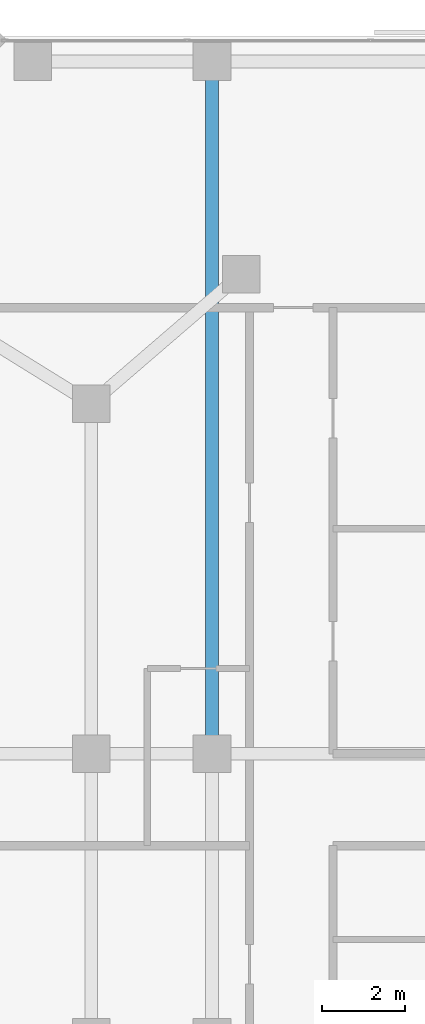
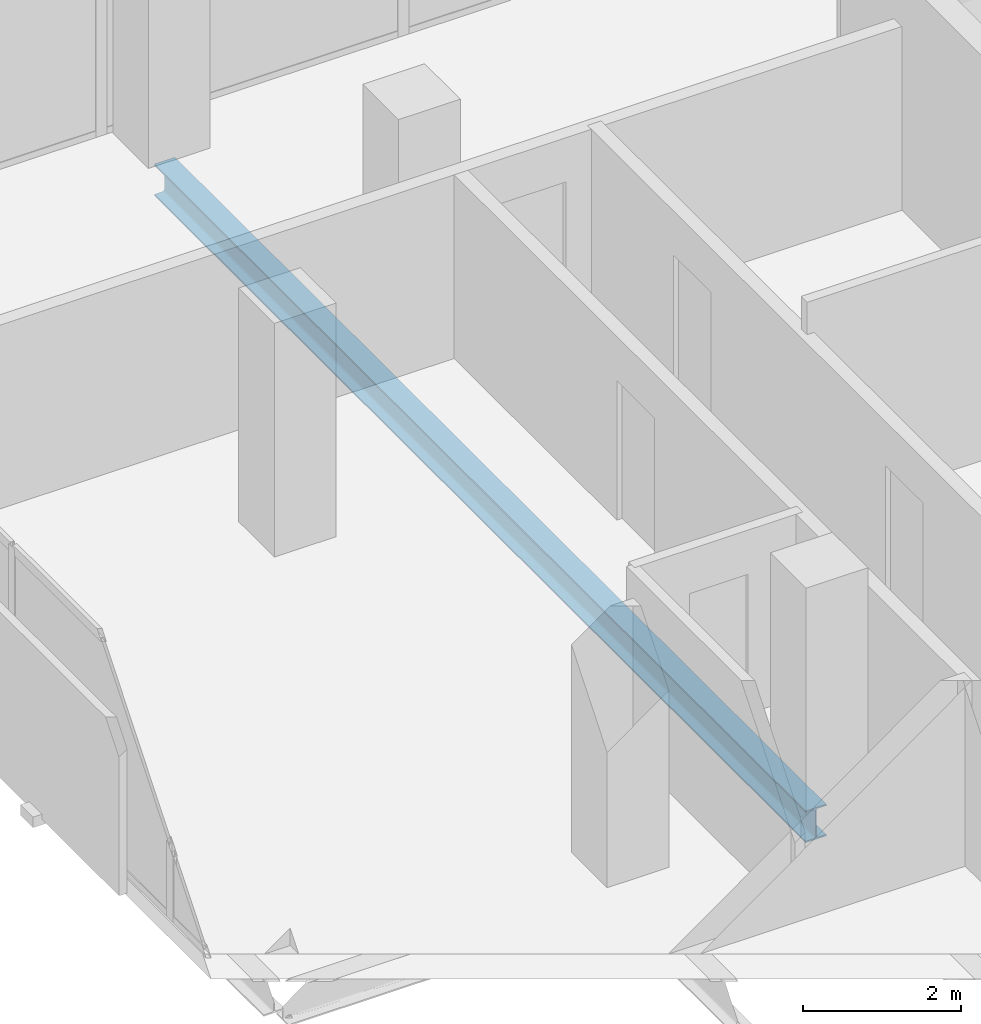
# One storey, part 18 of 34: 1 beam.
"""IFC4 building model written with IfcOpenShell, lengths in metres."""

from ifc_helpers import new_model, si_unit, direction, frame, origin, origin_2d, place, context, subcontext, project, spatial, i_section, extrude, material, material_profile, profile_set, type_object, element, save


model = new_model("IFC4")

# Units and contexts
model_context = context("Model", 3, precision=1e-05, world=origin(), true_north=direction((0.0, 1.0)))
body_context = subcontext(model_context, "Body", "Model", "MODEL_VIEW")
ifc_project = project(units=[si_unit("LENGTHUNIT", "METRE"), si_unit("AREAUNIT", "SQUARE_METRE"), si_unit("VOLUMEUNIT", "CUBIC_METRE"), si_unit("PLANEANGLEUNIT", "RADIAN"), si_unit("MASSUNIT", "GRAM", prefix="KILO")], contexts=[model_context])

# Site, building, storey
site_placement = place(None, origin())
site = spatial("IfcSite", under=ifc_project, at=site_placement, CompositionType="ELEMENT")
building_placement = place(site_placement, origin())
building = spatial("IfcBuilding", under=site, at=building_placement, Name="Catumbela Crestline Tower", CompositionType="ELEMENT")
storey_placement = place(building_placement, frame((0.0, 0.0, 97.2)))
storey = spatial("IfcBuildingStorey", under=building, at=storey_placement, Name="L24", CompositionType="ELEMENT", Elevation=97.2)

# Beam
ifc_material = material(Name="Structural steel S355J2", Category="steel")
ifc_material_profile = material_profile(ifc_material, i_section(OverallWidth=0.3, OverallDepth=0.49, WebThickness=0.012, FlangeThickness=0.023, FilletRadius=0.027, at=origin_2d()), Name="HEA 500")
ifc_profile_set = profile_set([ifc_material_profile], Name="Structural steel S355J2")
beam_type = type_object("IfcBeamType", Name="BG-HEA500", PredefinedType="BEAM", material=ifc_profile_set)
beam_placement = place(storey_placement, frame((8.5, 30.88, -0.505), z_axis=(0.0, 1.0, 0.0), x_axis=(-1.0, 0.0, 0.0)))
element("IfcBeam", 1, at=beam_placement, inside=storey, type_object=beam_type, Name="L24 Beam BM-L24-SN27", PredefinedType="BEAM", context=body_context, shape_type="SweptSolid", body=[
    extrude(i_section(OverallWidth=0.3, OverallDepth=0.49, WebThickness=0.012, FlangeThickness=0.023, FilletRadius=0.027, at=origin_2d()), origin(), (0.0, 0.0, 1.0), 16.44),
])

save(model, "model.ifc")
